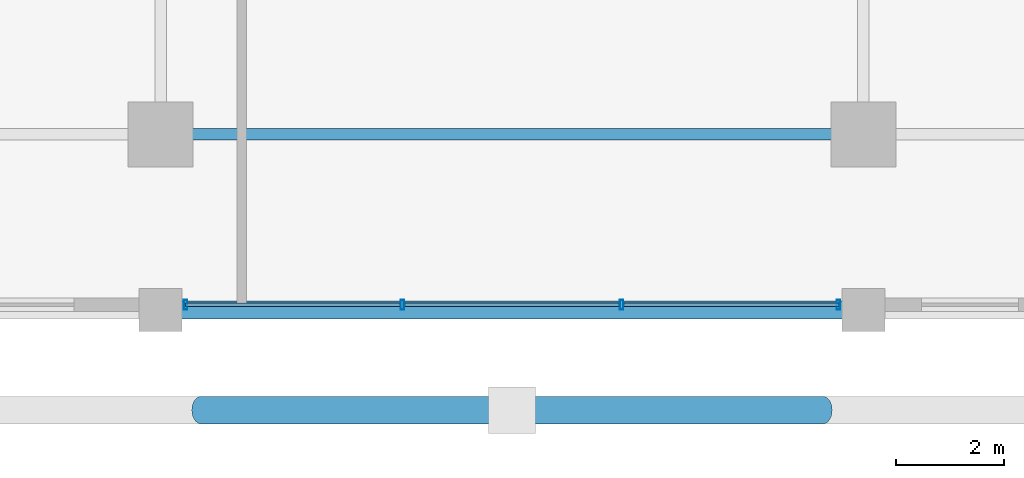
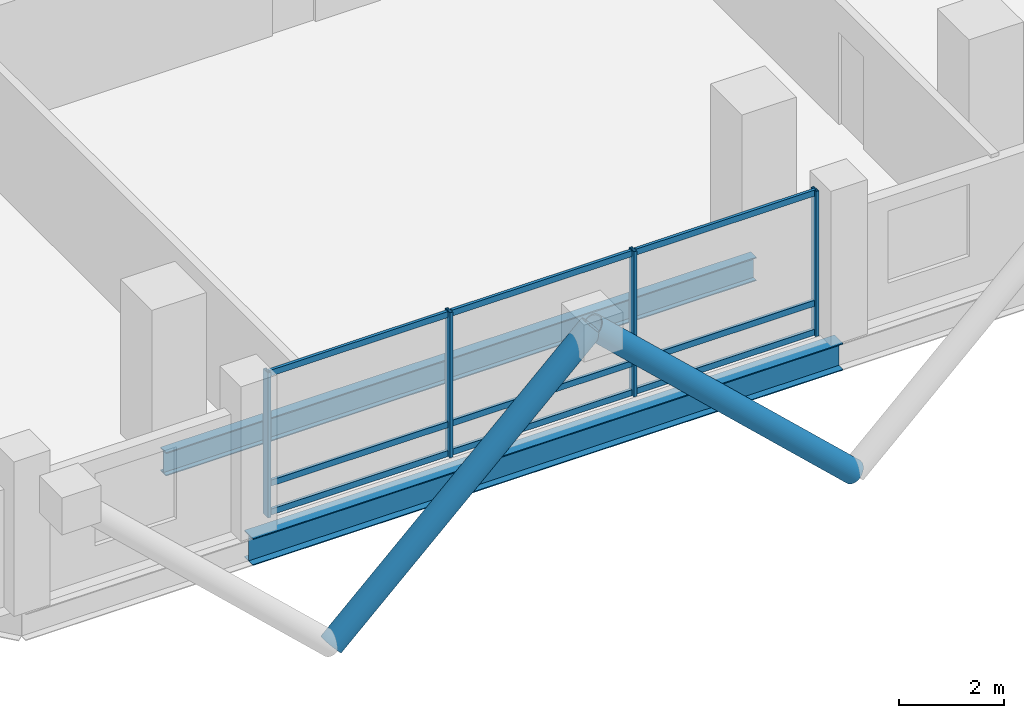
# One storey, part 2 of 22: 15 members, 2 beams, 1 element without a shape of its own.
"""IFC4 building model written with IfcOpenShell, lengths in metres."""

from ifc_helpers import new_model, si_unit, direction, frame, origin, origin_2d, place, context, subcontext, project, spatial, hollow_rectangle, hollow_circle, i_section, extrude, material, layer, layer_set, material_profile, profile_set, type_object, element, aggregate, save


model = new_model("IFC4")

# Units and contexts
model_context = context("Model", 3, precision=1e-05, world=origin(), true_north=direction((0.0, 1.0)))
body_context = subcontext(model_context, "Body", "Model", "MODEL_VIEW")
ifc_project = project(units=[si_unit("LENGTHUNIT", "METRE"), si_unit("AREAUNIT", "SQUARE_METRE"), si_unit("VOLUMEUNIT", "CUBIC_METRE"), si_unit("PLANEANGLEUNIT", "RADIAN"), si_unit("MASSUNIT", "GRAM", prefix="KILO")], contexts=[model_context])

# Site, building, storey
site_placement = place(None, origin())
site = spatial("IfcSite", under=ifc_project, at=site_placement, CompositionType="ELEMENT")
building_placement = place(site_placement, origin())
building = spatial("IfcBuilding", under=site, at=building_placement, Name="Barlavira Tower and Art Museum", CompositionType="ELEMENT")
storey_placement = place(building_placement, frame((0.0, 0.0, 106.199951171875)))
storey = spatial("IfcBuildingStorey", under=building, at=storey_placement, Name="L26", CompositionType="ELEMENT", Elevation=106.199951171875)

# Curtain wall, members
ifc_material_1 = material(Name="Low-iron coastal laminated glass", Category="glass")
ifc_layer = layer(ifc_material_1, 0.18994140625, Name="Low-iron coastal laminated glass")
ifc_layer_set = layer_set([ifc_layer], Name="Low-iron coastal laminated glass")
curtain_wall_type = type_object("IfcCurtainWallType", Name="Pale-Metal Unitised Curtain Wall Zone 2", PredefinedType="NOTDEFINED", material=ifc_layer_set)
curtain_wall_placement = place(storey_placement, origin())
curtain_wall = element("IfcCurtainWall", 1, at=curtain_wall_placement, inside=storey, type_object=curtain_wall_type, Name="L26 Curtain Wall CW2-L26-S-B3", PredefinedType="NOTDEFINED")
ifc_material_2 = material(Name="Pale anodised aluminium", Category="aluminium")
ifc_material_profile_1 = material_profile(ifc_material_2, hollow_rectangle(XDim=0.06494140625, YDim=0.179931640625, WallThickness=0.00390625, at=origin_2d()), Name="ALU-MULL 65x180x4")
ifc_profile_set_1 = profile_set([ifc_material_profile_1], Name="Pale anodised aluminium")
member_type_1 = type_object("IfcMemberType", Name="Curtain Wall Pale-Metal Mullion 65x180", PredefinedType="MULLION", material=ifc_profile_set_1)
member_1_placement = place(storey_placement, frame((-6.034912109375, -23.14990234375, 0.0), z_axis=(0.0, 0.0, 1.0), x_axis=(1.0, 0.0, 0.0)))
member_1 = element("IfcMember", 2, at=member_1_placement, type_object=member_type_1, Name="CW2-L26-S-B3 Mullion 0", PredefinedType="MULLION", context=body_context, shape_type="SweptSolid", body=[
    extrude(hollow_rectangle(XDim=0.06494140625, YDim=0.179931640625, WallThickness=0.00390625, at=origin_2d()), origin(), (0.0, 0.0, 1.0), 3.380126953125),
])
member_2_placement = place(storey_placement, frame((-2.026611328125, -23.14990234375, 0.0), z_axis=(0.0, 0.0, 1.0), x_axis=(1.0, 0.0, 0.0)))
member_2 = element("IfcMember", 3, at=member_2_placement, type_object=member_type_1, Name="CW2-L26-S-B3 Mullion 1", PredefinedType="MULLION", context=body_context, shape_type="SweptSolid", body=[
    extrude(hollow_rectangle(XDim=0.06494140625, YDim=0.179931640625, WallThickness=0.00390625, at=origin_2d()), origin(), (0.0, 0.0, 1.0), 3.380126953125),
])
member_3_placement = place(storey_placement, frame((2.026611328125, -23.14990234375, 0.0), z_axis=(0.0, 0.0, 1.0), x_axis=(1.0, 0.0, 0.0)))
member_3 = element("IfcMember", 4, at=member_3_placement, type_object=member_type_1, Name="CW2-L26-S-B3 Mullion 2", PredefinedType="MULLION", context=body_context, shape_type="SweptSolid", body=[
    extrude(hollow_rectangle(XDim=0.06494140625, YDim=0.179931640625, WallThickness=0.00390625, at=origin_2d()), origin(), (0.0, 0.0, 1.0), 3.380126953125),
])
member_4_placement = place(storey_placement, frame((6.034912109375, -23.14990234375, 0.0), z_axis=(0.0, 0.0, 1.0), x_axis=(1.0, 0.0, 0.0)))
member_4 = element("IfcMember", 5, at=member_4_placement, type_object=member_type_1, Name="CW2-L26-S-B3 Mullion 3", PredefinedType="MULLION", context=body_context, shape_type="SweptSolid", body=[
    extrude(hollow_rectangle(XDim=0.06494140625, YDim=0.179931640625, WallThickness=0.00390625, at=origin_2d()), origin(), (0.0, 0.0, 1.0), 3.380126953125),
])
ifc_material_profile_2 = material_profile(ifc_material_2, hollow_rectangle(XDim=0.06494140625, YDim=0.139892578125, WallThickness=0.00390625, at=origin_2d()), Name="ALU-TRAN 65x140x4")
ifc_profile_set_2 = profile_set([ifc_material_profile_2], Name="Pale anodised aluminium")
member_type_2 = type_object("IfcMemberType", Name="Curtain Wall Pale-Metal Transom 65x140", PredefinedType="USERDEFINED", material=ifc_profile_set_2)
member_5_placement = place(storey_placement, frame((-6.034912109375, -23.14990234375, 0.070068359375), z_axis=(1.0, 0.0, 0.0), x_axis=(0.0, 1.0, 0.0)))
member_5 = element("IfcMember", 6, at=member_5_placement, type_object=member_type_2, Name="CW2-L26-S-B3 Transom 0.1", ObjectType="TRANSOM", PredefinedType="USERDEFINED", context=body_context, shape_type="SweptSolid", body=[
    extrude(hollow_rectangle(XDim=0.06494140625, YDim=0.139892578125, WallThickness=0.00390625, at=origin_2d()), origin(), (0.0, 0.0, 1.0), 3.963134765625),
])
member_6_placement = place(storey_placement, frame((-6.034912109375, -23.14990234375, 0.744140625), z_axis=(1.0, 0.0, 0.0), x_axis=(0.0, 1.0, 0.0)))
member_6 = element("IfcMember", 7, at=member_6_placement, type_object=member_type_2, Name="CW2-L26-S-B3 Transom 0.2", ObjectType="TRANSOM", PredefinedType="USERDEFINED", context=body_context, shape_type="SweptSolid", body=[
    extrude(hollow_rectangle(XDim=0.06494140625, YDim=0.139892578125, WallThickness=0.00390625, at=origin_2d()), origin(), (0.0, 0.0, 1.0), 3.963134765625),
])
member_7_placement = place(storey_placement, frame((-6.034912109375, -23.14990234375, 3.31005859375), z_axis=(1.0, 0.0, 0.0), x_axis=(0.0, 1.0, 0.0)))
member_7 = element("IfcMember", 8, at=member_7_placement, type_object=member_type_2, Name="CW2-L26-S-B3 Transom 0.3", ObjectType="TRANSOM", PredefinedType="USERDEFINED", context=body_context, shape_type="SweptSolid", body=[
    extrude(hollow_rectangle(XDim=0.06494140625, YDim=0.139892578125, WallThickness=0.00390625, at=origin_2d()), origin(), (0.0, 0.0, 1.0), 3.963134765625),
])
member_8_placement = place(storey_placement, frame((-1.981689453125, -23.14990234375, 0.070068359375), z_axis=(1.0, 0.0, 0.0), x_axis=(0.0, 1.0, 0.0)))
member_8 = element("IfcMember", 9, at=member_8_placement, type_object=member_type_2, Name="CW2-L26-S-B3 Transom 1.1", ObjectType="TRANSOM", PredefinedType="USERDEFINED", context=body_context, shape_type="SweptSolid", body=[
    extrude(hollow_rectangle(XDim=0.06494140625, YDim=0.139892578125, WallThickness=0.00390625, at=origin_2d()), origin(), (0.0, 0.0, 1.0), 3.96337890625),
])
member_9_placement = place(storey_placement, frame((-1.981689453125, -23.14990234375, 0.744140625), z_axis=(1.0, 0.0, 0.0), x_axis=(0.0, 1.0, 0.0)))
member_9 = element("IfcMember", 10, at=member_9_placement, type_object=member_type_2, Name="CW2-L26-S-B3 Transom 1.2", ObjectType="TRANSOM", PredefinedType="USERDEFINED", context=body_context, shape_type="SweptSolid", body=[
    extrude(hollow_rectangle(XDim=0.06494140625, YDim=0.139892578125, WallThickness=0.00390625, at=origin_2d()), origin(), (0.0, 0.0, 1.0), 3.96337890625),
])
member_10_placement = place(storey_placement, frame((-1.981689453125, -23.14990234375, 3.31005859375), z_axis=(1.0, 0.0, 0.0), x_axis=(0.0, 1.0, 0.0)))
member_10 = element("IfcMember", 11, at=member_10_placement, type_object=member_type_2, Name="CW2-L26-S-B3 Transom 1.3", ObjectType="TRANSOM", PredefinedType="USERDEFINED", context=body_context, shape_type="SweptSolid", body=[
    extrude(hollow_rectangle(XDim=0.06494140625, YDim=0.139892578125, WallThickness=0.00390625, at=origin_2d()), origin(), (0.0, 0.0, 1.0), 3.96337890625),
])
member_11_placement = place(storey_placement, frame((2.07177734375, -23.14990234375, 0.070068359375), z_axis=(1.0, 0.0, 0.0), x_axis=(0.0, 1.0, 0.0)))
member_11 = element("IfcMember", 12, at=member_11_placement, type_object=member_type_2, Name="CW2-L26-S-B3 Transom 2.1", ObjectType="TRANSOM", PredefinedType="USERDEFINED", context=body_context, shape_type="SweptSolid", body=[
    extrude(hollow_rectangle(XDim=0.06494140625, YDim=0.139892578125, WallThickness=0.00390625, at=origin_2d()), origin(), (0.0, 0.0, 1.0), 3.963134765625),
])
member_12_placement = place(storey_placement, frame((2.07177734375, -23.14990234375, 0.744140625), z_axis=(1.0, 0.0, 0.0), x_axis=(0.0, 1.0, 0.0)))
member_12 = element("IfcMember", 13, at=member_12_placement, type_object=member_type_2, Name="CW2-L26-S-B3 Transom 2.2", ObjectType="TRANSOM", PredefinedType="USERDEFINED", context=body_context, shape_type="SweptSolid", body=[
    extrude(hollow_rectangle(XDim=0.06494140625, YDim=0.139892578125, WallThickness=0.00390625, at=origin_2d()), origin(), (0.0, 0.0, 1.0), 3.963134765625),
])
member_13_placement = place(storey_placement, frame((2.07177734375, -23.14990234375, 3.31005859375), z_axis=(1.0, 0.0, 0.0), x_axis=(0.0, 1.0, 0.0)))
member_13 = element("IfcMember", 14, at=member_13_placement, type_object=member_type_2, Name="CW2-L26-S-B3 Transom 2.3", ObjectType="TRANSOM", PredefinedType="USERDEFINED", context=body_context, shape_type="SweptSolid", body=[
    extrude(hollow_rectangle(XDim=0.06494140625, YDim=0.139892578125, WallThickness=0.00390625, at=origin_2d()), origin(), (0.0, 0.0, 1.0), 3.963134765625),
])
aggregate(curtain_wall, [member_1, member_2, member_3, member_4, member_5, member_6, member_7, member_8, member_9, member_10, member_11, member_12, member_13])

# Members
ifc_material_3 = material(Name="Steel S355", Category="steel")
ifc_material_profile_3 = material_profile(ifc_material_3, hollow_circle(Radius=0.25390625, WallThickness=0.022216796875, at=origin_2d()), Name="CHS 508.0x22.2")
ifc_profile_set_3 = profile_set([ifc_material_profile_3], Name="Steel S355")
member_type_3 = type_object("IfcMemberType", Name="Pale-Metal Exoskeleton Diagrid Tube CHS 508x22 Steel S355", PredefinedType="BRACE", material=ifc_profile_set_3)
for number, where, z_axis, x_axis, name in (
    (15, (-5.75, -25.10009765625, -1.919921875), (0.728950095515, 0.0, 0.684566839869), (0.0, 1.0, 0.0), "L26 Exoskeleton Diagrid Tube S"),
    (16, (5.75, -25.10009765625, -1.919921875), (-0.728950095515, 0.0, 0.684566839869), (0.0, -1.0, 0.0), "L26 Exoskeleton Diagrid Tube S"),
):
    element("IfcMember", number, at=place(storey_placement, frame(where, z_axis=z_axis, x_axis=x_axis)), inside=storey, type_object=member_type_3, Name=name, PredefinedType="BRACE", context=body_context, shape_type="SweptSolid", body=[
        extrude(hollow_circle(Radius=0.25390625, WallThickness=0.022216796875, at=origin_2d()), origin(), (0.0, 0.0, 1.0), 7.887939453125),
    ])

# Beams
ifc_material_profile_4 = material_profile(ifc_material_3, i_section(OverallWidth=0.327880859375, OverallDepth=0.62890625, WebThickness=0.013916015625, FlangeThickness=0.021484375, at=origin_2d()), Name="W610x174.0")
ifc_profile_set_4 = profile_set([ifc_material_profile_4], Name="Steel S355")
beam_type_1 = type_object("IfcBeamType", Name="Perimeter Spandrel Edge Beam W610x174 Steel S355", PredefinedType="SPANDREL", material=ifc_profile_set_4)
beam_1_placement = place(storey_placement, frame((-6.5, -23.25, -0.534423828125), z_axis=(1.0, 0.0, 0.0), x_axis=(0.0, 1.0, 0.0)))
element("IfcBeam", 17, at=beam_1_placement, inside=storey, type_object=beam_type_1, Name="L26 Spandrel 2", PredefinedType="SPANDREL", context=body_context, shape_type="SweptSolid", body=[
    extrude(i_section(OverallWidth=0.327880859375, OverallDepth=0.62890625, WebThickness=0.013916015625, FlangeThickness=0.021484375, at=origin_2d()), origin(), (0.0, 0.0, 1.0), 13.0),
])
ifc_material_profile_5 = material_profile(ifc_material_3, i_section(OverallWidth=0.214111328125, OverallDepth=0.549072265625, WebThickness=0.0146484375, FlangeThickness=0.023681640625, at=origin_2d()), Name="W530x138.0")
ifc_profile_set_5 = profile_set([ifc_material_profile_5], Name="Steel S355")
beam_type_2 = type_object("IfcBeamType", Name="Zone 1 Primary Floor Girder W530x138 Steel S355", PredefinedType="BEAM", material=ifc_profile_set_5)
beam_2_placement = place(storey_placement, frame((-6.5, -20.0, -0.494384765625), z_axis=(1.0, 0.0, 0.0), x_axis=(0.0, 1.0, 0.0)))
element("IfcBeam", 18, at=beam_2_placement, inside=storey, type_object=beam_type_2, Name="L26 Girder M-S2", PredefinedType="BEAM", context=body_context, shape_type="SweptSolid", body=[
    extrude(i_section(OverallWidth=0.214111328125, OverallDepth=0.549072265625, WebThickness=0.0146484375, FlangeThickness=0.023681640625, at=origin_2d()), origin(), (0.0, 0.0, 1.0), 13.0),
])

save(model, "model.ifc")
